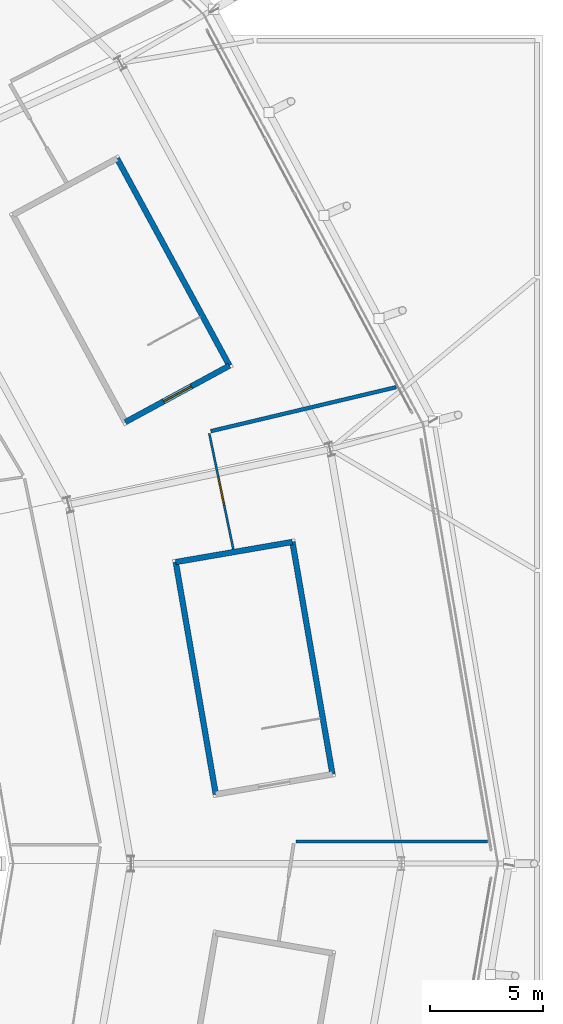
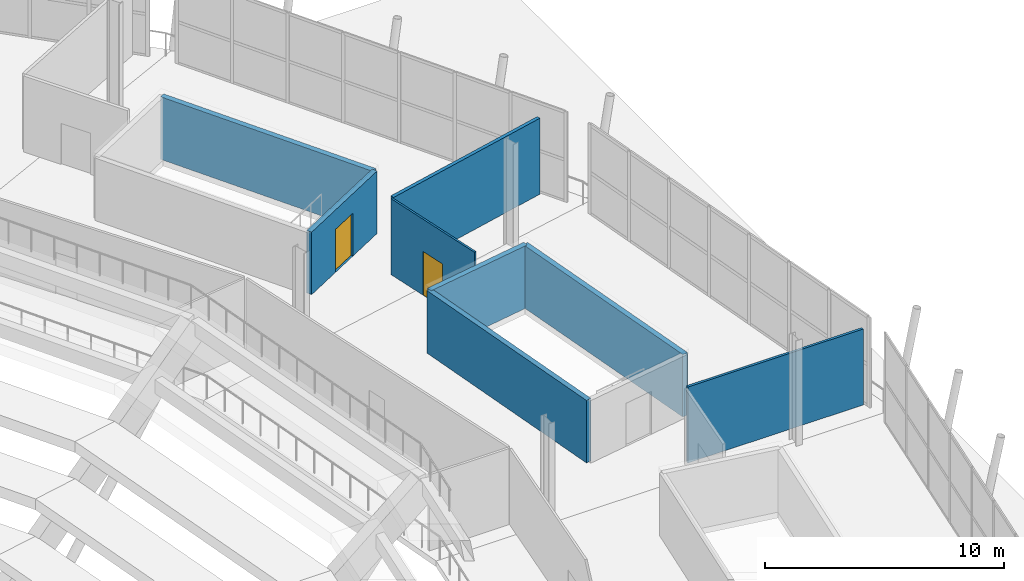
# One storey, part 102 of 126: 8 walls, 2 doors, 2 openings.
"""IFC4 building model written with IfcOpenShell, lengths in metres."""

import ifcopenshell
import ifcopenshell.guid

model = None  # the IFC model being written
_history = None  # IfcOwnerHistory: only IFC2X3 demands one
_inside = {}  # id of a spatial element -> (the spatial element, [elements in it])
_under = {}  # id of a project, library or spatial element -> (it, [spatial elements below it])
_declared = {}  # id of a project -> (the project, [libraries it declares])
_typed = {}  # id of a type object -> (the type object, [elements of that type])
_made_of = {}  # id of a material, layer set ... -> (it, [elements and type objects made of it])


def new_model(schema):
    """Start an empty IFC model of exactly this schema.

    Asked for "IFC4X3", IfcOpenShell would pick the latest addendum, in which some entities
    have other attributes; the version numbers below select the first issue.
    IFC2X3 requires an IfcOwnerHistory on every rooted entity: one is made here for all.
    """
    global model, _history
    if schema == "IFC4X3":
        model = ifcopenshell.file(schema_version=(4, 3, 0, 0))
    else:
        model = ifcopenshell.file(schema=schema)
    _inside.clear()
    _under.clear()
    _declared.clear()
    _typed.clear()
    _made_of.clear()
    _history = None
    if model.schema == "IFC2X3":
        org = make("IfcOrganization", Name="unknown")
        user = make(
            "IfcPersonAndOrganization",
            ThePerson=make("IfcPerson", FamilyName="unknown"),
            TheOrganization=org,
        )
        app = make(
            "IfcApplication",
            ApplicationDeveloper=org,
            Version="unknown",
            ApplicationFullName="unknown",
            ApplicationIdentifier="unknown",
        )
        _history = make(
            "IfcOwnerHistory",
            OwningUser=user,
            OwningApplication=app,
            ChangeAction="ADDED",
            CreationDate=0,
        )
    return model


def make(cls, **values):
    """One entity of the class cls with the attributes given. An attribute that is None is left unset."""
    return model.create_entity(
        cls, **{name: value for name, value in values.items() if value is not None}
    )


def rooted(cls, **values):
    """An entity with a GlobalId (a new one), such as an element, a storey or a relation."""
    return make(cls, GlobalId=ifcopenshell.guid.new(), OwnerHistory=_history, **values)


def si_unit(unit_type, name, prefix=None):
    """IfcSIUnit, for example si_unit("LENGTHUNIT", "METRE", prefix="MILLI")."""
    return make("IfcSIUnit", UnitType=unit_type, Prefix=prefix, Name=name)


def assignment(units):
    """IfcUnitAssignment: the units of a project."""
    return None if units is None else make("IfcUnitAssignment", Units=units)


def point(xyz):
    """IfcCartesianPoint."""
    return None if xyz is None else make("IfcCartesianPoint", Coordinates=xyz)


def direction(xyz):
    """IfcDirection."""
    return None if xyz is None else make("IfcDirection", DirectionRatios=xyz)


def frame(location, z_axis=None, x_axis=None):
    """IfcAxis2Placement3D, a coordinate frame: its origin and axes. An axis left out is left unset."""
    return make(
        "IfcAxis2Placement3D",
        Location=point(location),
        Axis=direction(z_axis),
        RefDirection=direction(x_axis),
    )


def frame_2d(location, x_axis=None):
    """IfcAxis2Placement2D, a coordinate frame in the plane: its origin and x axis."""
    return make(
        "IfcAxis2Placement2D", Location=point(location), RefDirection=direction(x_axis)
    )


def origin():
    """The frame at (0, 0, 0) with its axes left unset."""
    return frame((0.0, 0.0, 0.0))


def place(relative_to, where):
    """IfcLocalPlacement: puts the frame where relative to a parent placement (None: the world)."""
    return make(
        "IfcLocalPlacement", PlacementRelTo=relative_to, RelativePlacement=where
    )


def context(
    kind, dimensions, precision=None, world=None, true_north=None, identifier=None
):
    """IfcGeometricRepresentationContext, for example the 3D "Model" context."""
    return make(
        "IfcGeometricRepresentationContext",
        ContextIdentifier=identifier,
        ContextType=kind,
        CoordinateSpaceDimension=dimensions,
        Precision=precision,
        WorldCoordinateSystem=world,
        TrueNorth=true_north,
    )


def subcontext(parent, identifier, kind, view, scale=None):
    """IfcGeometricRepresentationSubContext, for example "Body" below "Model"."""
    return make(
        "IfcGeometricRepresentationSubContext",
        ContextIdentifier=identifier,
        ContextType=kind,
        ParentContext=parent,
        TargetScale=scale,
        TargetView=view,
    )


def project(units=None, contexts=None):
    """IfcProject with its units and contexts."""
    return rooted(
        "IfcProject",
        Name="project",
        RepresentationContexts=contexts,
        UnitsInContext=assignment(units),
    )


def spatial(cls, under=None, at=None, **own):
    """A site, building, storey or space (cls), placed at a placement, below another one or the project."""
    s = rooted(cls, ObjectPlacement=at, **own)
    if under is not None:
        _under.setdefault(under.id(), (under, []))[1].append(s)
    return s


def profile(cls, at=None, kind="AREA", **sizes):
    """A parametric profile (cls). Its sizes go by their IFC names, for example OverallWidth=200.0."""
    return make(cls, ProfileType=kind, Position=at, **sizes)


def rectangle(**sizes):
    """IfcRectangleProfileDef."""
    return profile("IfcRectangleProfileDef", **sizes)


def extrude(swept, where, along, depth):
    """IfcExtrudedAreaSolid: the profile swept, set in the frame where, extruded along a direction by depth."""
    return make(
        "IfcExtrudedAreaSolid",
        SweptArea=swept,
        Position=where,
        ExtrudedDirection=direction(along),
        Depth=depth,
    )


def shape(context_of_items, identifier, shape_type, items):
    """IfcShapeRepresentation: the items that make up one representation, for example the "Body"."""
    return make(
        "IfcShapeRepresentation",
        ContextOfItems=context_of_items,
        RepresentationIdentifier=identifier,
        RepresentationType=shape_type,
        Items=items,
    )


def material(Name=None, Category=None):
    """IfcMaterial."""
    return make("IfcMaterial", Name=Name, Category=Category)


def layer(
    of_material, thickness, ventilated=None, Name=None, Category=None, Priority=None
):
    """IfcMaterialLayer: one layer of a wall or slab, of a material (None: an air gap)."""
    return make(
        "IfcMaterialLayer",
        Material=of_material,
        LayerThickness=thickness,
        IsVentilated=ventilated,
        Name=Name,
        Category=Category,
        Priority=Priority,
    )


def layer_set(layers, Name=None):
    """IfcMaterialLayerSet."""
    return make("IfcMaterialLayerSet", MaterialLayers=layers, LayerSetName=Name)


def made_of(thing, what):
    """Note that an element or type object is made of a material, layer set ...; save() writes the relation."""
    if what is not None:
        _made_of.setdefault(what.id(), (what, []))[1].append(thing)
    return thing


def type_object(cls, material=None, **own):
    """A type object (cls), such as IfcWallType, which elements share."""
    return made_of(rooted(cls, **own), material)


def element(
    cls,
    number,
    at=None,
    inside=None,
    cuts=None,
    type_object=None,
    material=None,
    context=None,
    identifier="Body",
    shape_type=None,
    held_by="IfcProductDefinitionShape",
    body=None,
    shapes=None,
    **own,
):
    """One element of the class cls, such as IfcWall. Its Tag is "e" and its number.

    at: its placement. inside: the storey or other place that contains it. cuts: it is an
    opening in that element (IfcRelVoidsElement). A single representation is given by context,
    identifier, shape_type and body (its items); several are given by shapes. held_by: the class
    of the entity that holds the representations. save() writes the other relations.
    """
    e = rooted(cls, Tag="e%d" % number, ObjectPlacement=at, **own)
    if body is not None:
        shapes = [shape(context, identifier, shape_type, body)]
    if shapes is not None:
        e.Representation = make(held_by, Representations=shapes)
    if inside is not None:
        _inside.setdefault(inside.id(), (inside, []))[1].append(e)
    if cuts is not None:
        rooted(
            "IfcRelVoidsElement", RelatingBuildingElement=cuts, RelatedOpeningElement=e
        )
    if type_object is not None:
        _typed.setdefault(type_object.id(), (type_object, []))[1].append(e)
    return made_of(e, material)


def fill(opening, filler):
    """IfcRelFillsElement: the door or window that sits in an opening."""
    return rooted(
        "IfcRelFillsElement",
        RelatingOpeningElement=opening,
        RelatedBuildingElement=filler,
    )


def aggregate(whole, parts):
    """IfcRelAggregates: a whole, such as a stair, and the parts it consists of."""
    return rooted("IfcRelAggregates", RelatingObject=whole, RelatedObjects=parts)


def save(model, path):
    """Write the relations noted so far, then the file.

    IfcRelAggregates (storeys below a building ...), IfcRelContainedInSpatialStructure (elements
    in a storey), IfcRelDefinesByType, IfcRelAssociatesMaterial and IfcRelDeclares: one each for
    every whole, place, type object, material and project.
    """
    for whole, parts in _under.values():
        aggregate(whole, parts)
    for where, things in _inside.values():
        rooted(
            "IfcRelContainedInSpatialStructure",
            RelatedElements=things,
            RelatingStructure=where,
        )
    for kind, things in _typed.values():
        rooted("IfcRelDefinesByType", RelatedObjects=things, RelatingType=kind)
    for what, things in _made_of.values():
        rooted("IfcRelAssociatesMaterial", RelatedObjects=things, RelatingMaterial=what)
    for by, libraries in _declared.values():
        rooted("IfcRelDeclares", RelatingContext=by, RelatedDefinitions=libraries)
    model.write(path)


model = new_model("IFC4")

# Units and contexts
model_context = context("Model", 3, precision=1e-05, world=origin(), true_north=direction((0.0, 1.0)))
body_context = subcontext(model_context, "Body", "Model", "MODEL_VIEW")
ifc_project = project(units=[si_unit("LENGTHUNIT", "METRE"), si_unit("AREAUNIT", "SQUARE_METRE"), si_unit("VOLUMEUNIT", "CUBIC_METRE"), si_unit("PLANEANGLEUNIT", "RADIAN"), si_unit("MASSUNIT", "GRAM", prefix="KILO")], contexts=[model_context])

# Site, building, storey
site_placement = place(None, origin())
site = spatial("IfcSite", under=ifc_project, at=site_placement, CompositionType="ELEMENT")
building_placement = place(site_placement, origin())
building = spatial("IfcBuilding", under=site, at=building_placement, Name="Zlatoyarsky Gate Stadium", CompositionType="ELEMENT")
storey_placement = place(building_placement, frame((0.0, 0.0, 20.800048828125)))
storey = spatial("IfcBuildingStorey", under=building, at=storey_placement, Name="L04", CompositionType="ELEMENT", Elevation=20.800048828125)

# Walls
ifc_material_1 = material(Name="Double-stud acoustic gypsum partition", Category="gypsum")
ifc_layer_1 = layer(ifc_material_1, 0.169921875)
ifc_layer_set_1 = layer_set([ifc_layer_1], Name="Double-stud acoustic gypsum partition")
wall_type_1 = type_object("IfcWallType", Name="ACOUSTIC BROADCAST STUDIO WALL 170", PredefinedType="PARTITIONING", material=ifc_layer_set_1)
wall_1_placement = place(storey_placement, frame((195.53955078125, 99.177490234375, 0.0), z_axis=(0.0, 0.0, 1.0), x_axis=(0.972952386066, 0.231005745487, 0.0)))
element("IfcWall", 1, at=wall_1_placement, inside=storey, type_object=wall_type_1, Name="L04 interior partition PRT-L04-ORD-00R", PredefinedType="PARTITIONING", context=body_context, shape_type="SweptSolid", body=[
    extrude(rectangle(XDim=8.447509765625, YDim=0.169921875, at=frame_2d((4.2236328125, 0.0))), origin(), (0.0, 0.0, 1.0), 3.889892578125),
])
ifc_material_2 = material(Name="Concrete C40/50", Category="concrete")
ifc_layer_2 = layer(ifc_material_2, 0.25)
ifc_layer_set_2 = layer_set([ifc_layer_2], Name="Concrete C40/50")
wall_type_2 = type_object("IfcWallType", Name="CONCRETE STAIR CORE SHEAR WALL 250", PredefinedType="SHEAR", material=ifc_layer_set_2)
wall_2_placement = place(storey_placement, frame((200.93603515625, 83.96875, 0.0), z_axis=(0.0, 0.0, 1.0), x_axis=(-0.169938992676, 0.985454584833, 0.0)))
element("IfcWall", 2, at=wall_2_placement, inside=storey, type_object=wall_type_2, Name="ST-01 L04 stair core left shear wall", PredefinedType="SHEAR", context=body_context, shape_type="SweptSolid", body=[
    extrude(rectangle(XDim=10.4501953125, YDim=0.25, at=frame_2d((5.22509765625, 0.0))), origin(), (0.0, 0.0, 1.0), 3.199951171875),
])
wall_3_placement = place(storey_placement, frame((199.16015625, 94.266845703125, 0.0), z_axis=(0.0, 0.0, 1.0), x_axis=(-0.985457162135, -0.16992404655, 0.0)))
element("IfcWall", 3, at=wall_3_placement, inside=storey, type_object=wall_type_2, Name="ST-01 L04 stair core far shear wall", PredefinedType="SHEAR", context=body_context, shape_type="SweptSolid", body=[
    extrude(rectangle(XDim=5.25, YDim=0.25, at=frame_2d((2.625, 0.0))), origin(), (0.0, 0.0, 1.0), 3.199951171875),
])
wall_4_placement = place(storey_placement, frame((193.986572265625, 93.374755859375, 0.0), z_axis=(0.0, 0.0, 1.0), x_axis=(0.169938992676, -0.985454584833, 0.0)))
element("IfcWall", 4, at=wall_4_placement, inside=storey, type_object=wall_type_2, Name="ST-01 L04 stair core right shear wall", PredefinedType="SHEAR", context=body_context, shape_type="SweptSolid", body=[
    extrude(rectangle(XDim=10.4501953125, YDim=0.25, at=frame_2d((5.22509765625, 0.0))), origin(), (0.0, 0.0, 1.0), 3.199951171875),
])

# Wall, opening, door
wall_5_placement = place(storey_placement, frame((191.753662109375, 99.579833984375, 0.0), z_axis=(0.0, 0.0, 1.0), x_axis=(0.878961487093, 0.47689275965, 0.0)))
wall_5 = element("IfcWall", 5, at=wall_5_placement, inside=storey, type_object=wall_type_2, Name="ST-13 L04 stair core entrance shear wall", PredefinedType="SHEAR", context=body_context, shape_type="SweptSolid", body=[
    extrude(rectangle(XDim=5.25, YDim=0.25, at=frame_2d((2.625, 0.0))), origin(), (0.0, 0.0, 1.0), 3.199951171875),
])
opening_1_placement = place(wall_5_placement, frame((1.925048828125, 0.0, 0.0)))
opening_1 = element("IfcOpeningElement", 6, at=opening_1_placement, cuts=wall_5, Name="Opening SD-ST-13-L04", PredefinedType="OPENING", context=body_context, shape_type="SweptSolid", body=[
    extrude(rectangle(XDim=1.39990234375, YDim=2.199951171875, at=frame_2d((0.699951171875, 1.10009765625))), frame((0.0, 0.135009765625, 0.0), z_axis=(0.0, -1.0, 0.0), x_axis=(1.0, 0.0, 0.0)), (0.0, 0.0, 1.0), 0.27001953125),
])
ifc_material_3 = material(Name="Powder-coated steel fire door", Category="steel")
door_type_1 = type_object("IfcDoorType", Name="STAIR CORE FIRE EXIT DOOR 1400X2200", OperationType="NOTDEFINED", PredefinedType="DOOR", material=ifc_material_3)
door_1_placement = place(opening_1_placement, frame((1.39990234375, 0.0, 0.0), z_axis=(0.0, 0.0, 1.0), x_axis=(-1.0, 0.0, 0.0)))
door_1 = element("IfcDoor", 7, at=door_1_placement, inside=storey, type_object=door_type_1, Name="ST-13 L04 stair fire door", OperationType="SINGLE_SWING_RIGHT", OverallHeight=2.199951171875, OverallWidth=1.39990234375, PredefinedType="DOOR", context=body_context, shape_type="SweptSolid", body=[
    extrude(rectangle(XDim=1.39990234375, YDim=2.199951171875, at=frame_2d((0.699951171875, 1.10009765625))), frame((0.0, 0.02490234375, 0.0), z_axis=(0.0, -1.0, 0.0), x_axis=(1.0, 0.0, 0.0)), (0.0, 0.0, 1.0), 0.050048828125),
])
fill(opening_1, door_1)

# Wall
wall_6_placement = place(storey_placement, frame((196.3681640625, 102.08349609375, 0.0), z_axis=(0.0, 0.0, 1.0), x_axis=(-0.476876856974, 0.878970115125, 0.0)))
element("IfcWall", 8, at=wall_6_placement, inside=storey, type_object=wall_type_2, Name="ST-13 L04 stair core left shear wall", PredefinedType="SHEAR", context=body_context, shape_type="SweptSolid", body=[
    extrude(rectangle(XDim=10.4501953125, YDim=0.25, at=frame_2d((5.22509765625, 0.0))), origin(), (0.0, 0.0, 1.0), 3.199951171875),
])

# Wall, opening, door
ifc_material_4 = material(Name="Timber-veneered acoustic operable partition", Category="wood")
ifc_layer_3 = layer(ifc_material_4, 0.094970703125)
ifc_layer_set_3 = layer_set([ifc_layer_3], Name="Timber-veneered acoustic operable partition")
wall_type_3 = type_object("IfcWallType", Name="FOLDING BANQUET SALON WALL 95", PredefinedType="MOVABLE", material=ifc_layer_set_3)
wall_7_placement = place(storey_placement, frame((196.538818359375, 93.946533203125, 0.0), z_axis=(0.0, 0.0, 1.0), x_axis=(-0.203282224607, 0.979120185247, 0.0)))
wall_7 = element("IfcWall", 9, at=wall_7_placement, inside=storey, type_object=wall_type_3, Name="L04 interior partition PRT-L04-OCC-00-1", PredefinedType="MOVABLE", context=body_context, shape_type="SweptSolid", body=[
    extrude(rectangle(XDim=5.237548828125, YDim=0.094970703125, at=frame_2d((2.61865234375, 0.0))), origin(), (0.0, 0.0, 1.0), 3.889892578125),
])
opening_2_placement = place(wall_7_placement, frame((1.998779296875, 0.0, 0.0)))
opening_2 = element("IfcOpeningElement", 10, at=opening_2_placement, cuts=wall_7, Name="Opening D-L04-559", PredefinedType="OPENING", context=body_context, shape_type="SweptSolid", body=[
    extrude(rectangle(XDim=1.239990234375, YDim=2.239990234375, at=frame_2d((0.6201171875, 1.1201171875))), frame((0.0, 0.057373046875, 0.0), z_axis=(0.0, -1.0, 0.0), x_axis=(1.0, 0.0, 0.0)), (0.0, 0.0, 1.0), 0.114990234375),
])
ifc_material_5 = material(Name="Solid-core oak veneer acoustic door", Category="wood")
door_type_2 = type_object("IfcDoorType", Name="ACOUSTIC INTERIOR DOOR 1240X2240", OperationType="NOTDEFINED", PredefinedType="DOOR", material=ifc_material_5)
door_2_placement = place(opening_2_placement, origin())
door_2 = element("IfcDoor", 11, at=door_2_placement, inside=storey, type_object=door_type_2, Name="L04 room door D-L04-559", OperationType="SINGLE_SWING_LEFT", OverallHeight=2.239990234375, OverallWidth=1.239990234375, PredefinedType="DOOR", context=body_context, shape_type="SweptSolid", body=[
    extrude(rectangle(XDim=1.239990234375, YDim=2.239990234375, at=frame_2d((0.6201171875, 1.1201171875))), frame((0.0, 0.02490234375, 0.0), z_axis=(0.0, -1.0, 0.0), x_axis=(1.0, 0.0, 0.0)), (0.0, 0.0, 1.0), 0.050048828125),
])
fill(opening_2, door_2)

# Wall
ifc_material_6 = material(Name="Metal-stud gypsum partition", Category="gypsum")
ifc_layer_4 = layer(ifc_material_6, 0.1201171875)
ifc_layer_set_4 = layer_set([ifc_layer_4], Name="Metal-stud gypsum partition")
wall_type_4 = type_object("IfcWallType", Name="OFFICE AND PRESS PARTITION 120", PredefinedType="PARTITIONING", material=ifc_layer_set_4)
wall_8_placement = place(storey_placement, frame((199.314697265625, 80.9853515625, 0.0), z_axis=(0.0, 0.0, 1.0), x_axis=(0.999999998351, 5.7430007e-05, 0.0)))
element("IfcWall", 12, at=wall_8_placement, inside=storey, type_object=wall_type_4, Name="L04 interior partition PRT-L04-ORD-23R", PredefinedType="PARTITIONING", context=body_context, shape_type="SweptSolid", body=[
    extrude(rectangle(XDim=8.502197265625, YDim=0.1201171875, at=frame_2d((4.2509765625, 0.0))), origin(), (0.0, 0.0, 1.0), 3.889892578125),
])

save(model, "model.ifc")
